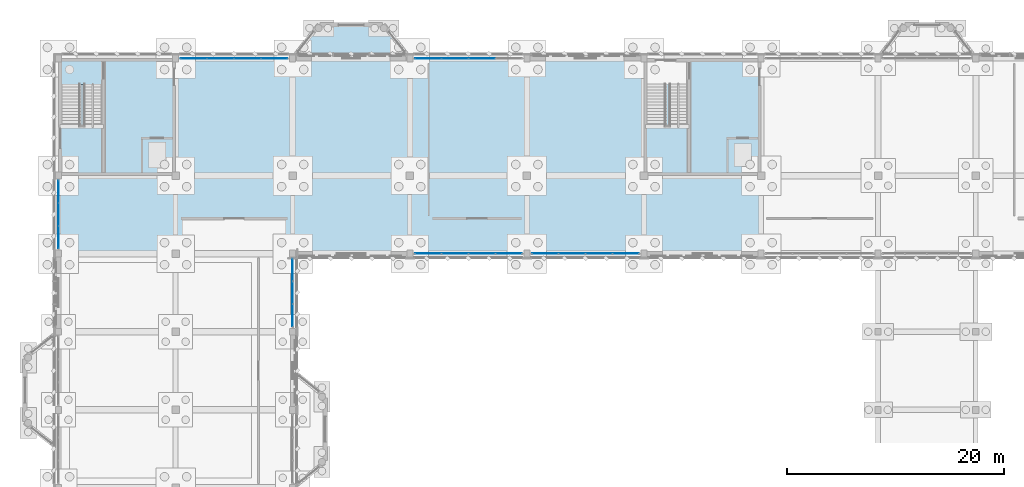
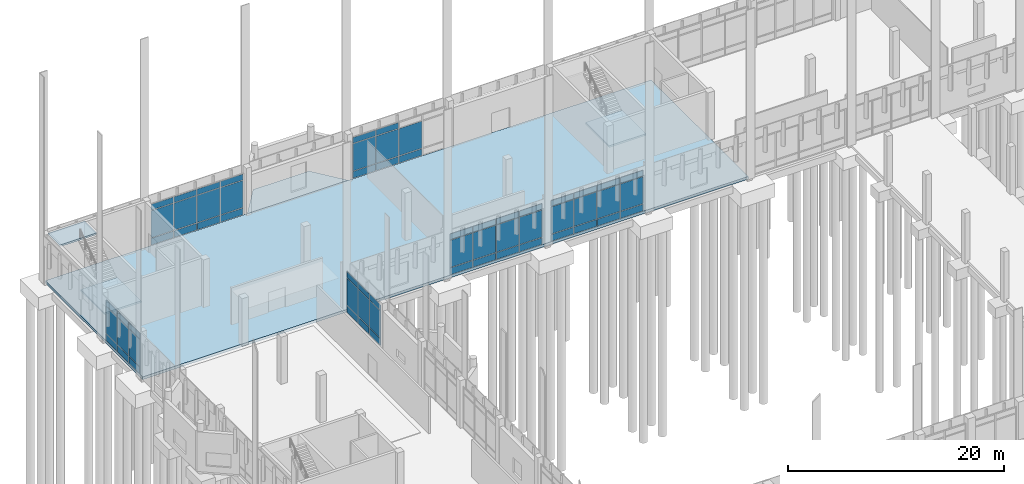
# One storey, part 75 of 109: 62 plates, 5 slabs, 8 elements without a shape of their own.
"""IFC4 building model written with IfcOpenShell, lengths in metres."""

from ifc_helpers import new_model, si_unit, direction, frame, origin, origin_2d, place, context, subcontext, project, spatial, polyline, rectangle, outline, extrude, material, layer, layer_set, type_object, element, aggregate, save


model = new_model("IFC4")

# Units and contexts
model_context = context("Model", 3, precision=1e-05, world=origin(), true_north=direction((0.0, 1.0)))
body_context = subcontext(model_context, "Body", "Model", "MODEL_VIEW")
ifc_project = project(units=[si_unit("LENGTHUNIT", "METRE"), si_unit("AREAUNIT", "SQUARE_METRE"), si_unit("VOLUMEUNIT", "CUBIC_METRE"), si_unit("PLANEANGLEUNIT", "RADIAN"), si_unit("MASSUNIT", "GRAM", prefix="KILO")], contexts=[model_context])

# Site, building, storey
site_placement = place(None, origin())
site = spatial("IfcSite", under=ifc_project, at=site_placement, CompositionType="ELEMENT")
building_placement = place(site_placement, origin())
building = spatial("IfcBuilding", under=site, at=building_placement, Name="Lusvemor Sports Hall", CompositionType="ELEMENT")
storey_placement = place(building_placement, origin())
storey = spatial("IfcBuildingStorey", under=building, at=storey_placement, Name="L00", CompositionType="ELEMENT", Elevation=0.0)

# Curtain wall, plates
ifc_material_1 = material(Name="Thermally broken bronze-anodized aluminium", Category="aluminium")
curtain_wall_type = type_object("IfcCurtainWallType", Name="CW_WING_B", PredefinedType="NOTDEFINED", material=ifc_material_1)
curtain_wall_1_placement = place(storey_placement, origin())
curtain_wall_1 = element("IfcCurtainWall", 1, at=curtain_wall_1_placement, inside=storey, type_object=curtain_wall_type, Name="Curtain Wall CW-L00-W-0-7", PredefinedType="NOTDEFINED")
ifc_material_2 = material(Name="Solar-control laminated double glazing", Category="glass")
ifc_layer_1 = layer(ifc_material_2, 0.028076171875)
ifc_layer_set_1 = layer_set([ifc_layer_1], Name="Solar-control laminated double glazing")
plate_type_1 = type_object("IfcPlateType", Name="CW_PAN_GLZ_28", PredefinedType="CURTAIN_PANEL", material=ifc_layer_set_1)
plate_1_placement = place(storey_placement, frame((0.0, 98.6962890625, 0.8798828125), z_axis=(0.0, 0.0, 1.0), x_axis=(0.0, 1.0, 0.0)))
plate_1 = element("IfcPlate", 2, at=plate_1_placement, type_object=plate_type_1, Name="CW02 panel 1.2", PredefinedType="CURTAIN_PANEL", context=body_context, shape_type="SweptSolid", body=[
    extrude(rectangle(XDim=2.0224609375, YDim=0.028076171875, at=origin_2d()), origin(), (0.0, 0.0, 1.0), 3.06005859375),
])
plate_2_placement = place(storey_placement, frame((0.0, 98.6962890625, 4.0), z_axis=(0.0, 0.0, 1.0), x_axis=(0.0, 1.0, 0.0)))
plate_2 = element("IfcPlate", 3, at=plate_2_placement, type_object=plate_type_1, Name="CW02 panel 1.3", PredefinedType="CURTAIN_PANEL", context=body_context, shape_type="SweptSolid", body=[
    extrude(rectangle(XDim=2.0224609375, YDim=0.028076171875, at=origin_2d()), origin(), (0.0, 0.0, 1.0), 0.659912109375),
])
plate_3_placement = place(storey_placement, frame((0.0, 100.800048828125, 0.8798828125), z_axis=(0.0, 0.0, 1.0), x_axis=(0.0, 1.0, 0.0)))
plate_3 = element("IfcPlate", 4, at=plate_3_placement, type_object=plate_type_1, Name="CW02 panel 2.2", PredefinedType="CURTAIN_PANEL", context=body_context, shape_type="SweptSolid", body=[
    extrude(rectangle(XDim=2.054931640625, YDim=0.028076171875, at=origin_2d()), origin(), (0.0, 0.0, 1.0), 3.06005859375),
])
plate_4_placement = place(storey_placement, frame((0.0, 100.800048828125, 4.0), z_axis=(0.0, 0.0, 1.0), x_axis=(0.0, 1.0, 0.0)))
plate_4 = element("IfcPlate", 5, at=plate_4_placement, type_object=plate_type_1, Name="CW02 panel 2.3", PredefinedType="CURTAIN_PANEL", context=body_context, shape_type="SweptSolid", body=[
    extrude(rectangle(XDim=2.054931640625, YDim=0.028076171875, at=origin_2d()), origin(), (0.0, 0.0, 1.0), 0.659912109375),
])
plate_5_placement = place(storey_placement, frame((0.0, 102.90380859375, 0.8798828125), z_axis=(0.0, 0.0, 1.0), x_axis=(0.0, 1.0, 0.0)))
plate_5 = element("IfcPlate", 6, at=plate_5_placement, type_object=plate_type_1, Name="CW02 panel 3.2", PredefinedType="CURTAIN_PANEL", context=body_context, shape_type="SweptSolid", body=[
    extrude(rectangle(XDim=2.0224609375, YDim=0.028076171875, at=origin_2d()), origin(), (0.0, 0.0, 1.0), 3.06005859375),
])
plate_6_placement = place(storey_placement, frame((0.0, 102.90380859375, 4.0), z_axis=(0.0, 0.0, 1.0), x_axis=(0.0, 1.0, 0.0)))
plate_6 = element("IfcPlate", 7, at=plate_6_placement, type_object=plate_type_1, Name="CW02 panel 3.3", PredefinedType="CURTAIN_PANEL", context=body_context, shape_type="SweptSolid", body=[
    extrude(rectangle(XDim=2.0224609375, YDim=0.028076171875, at=origin_2d()), origin(), (0.0, 0.0, 1.0), 0.659912109375),
])

curtain_wall_2_placement = place(storey_placement, origin())
curtain_wall_2 = element("IfcCurtainWall", 8, at=curtain_wall_2_placement, inside=storey, type_object=curtain_wall_type, Name="Curtain Wall CW-L00-N-1-1", PredefinedType="NOTDEFINED")
plate_7_placement = place(storey_placement, frame((12.481201171875, 115.199951171875, 0.8798828125), z_axis=(0.0, 0.0, 1.0), x_axis=(1.0, 0.0, 0.0)))
plate_7 = element("IfcPlate", 9, at=plate_7_placement, type_object=plate_type_1, Name="CW02 panel 1.2", PredefinedType="CURTAIN_PANEL", context=body_context, shape_type="SweptSolid", body=[
    extrude(rectangle(XDim=2.392578125, YDim=0.028076171875, at=origin_2d()), origin(), (0.0, 0.0, 1.0), 3.06005859375),
])
plate_8_placement = place(storey_placement, frame((12.481201171875, 115.199951171875, 4.0), z_axis=(0.0, 0.0, 1.0), x_axis=(1.0, 0.0, 0.0)))
plate_8 = element("IfcPlate", 10, at=plate_8_placement, type_object=plate_type_1, Name="CW02 panel 1.3", PredefinedType="CURTAIN_PANEL", context=body_context, shape_type="SweptSolid", body=[
    extrude(rectangle(XDim=2.392578125, YDim=0.028076171875, at=origin_2d()), origin(), (0.0, 0.0, 1.0), 0.659912109375),
])
plate_9_placement = place(storey_placement, frame((14.955078125, 115.199951171875, 0.8798828125), z_axis=(0.0, 0.0, 1.0), x_axis=(1.0, 0.0, 0.0)))
plate_9 = element("IfcPlate", 11, at=plate_9_placement, type_object=plate_type_1, Name="CW02 panel 2.2", PredefinedType="CURTAIN_PANEL", context=body_context, shape_type="SweptSolid", body=[
    extrude(rectangle(XDim=2.425048828125, YDim=0.028076171875, at=origin_2d()), origin(), (0.0, 0.0, 1.0), 3.06005859375),
])
plate_10_placement = place(storey_placement, frame((14.955078125, 115.199951171875, 4.0), z_axis=(0.0, 0.0, 1.0), x_axis=(1.0, 0.0, 0.0)))
plate_10 = element("IfcPlate", 12, at=plate_10_placement, type_object=plate_type_1, Name="CW02 panel 2.3", PredefinedType="CURTAIN_PANEL", context=body_context, shape_type="SweptSolid", body=[
    extrude(rectangle(XDim=2.425048828125, YDim=0.028076171875, at=origin_2d()), origin(), (0.0, 0.0, 1.0), 0.659912109375),
])
plate_11_placement = place(storey_placement, frame((17.445068359375, 115.199951171875, 0.8798828125), z_axis=(0.0, 0.0, 1.0), x_axis=(1.0, 0.0, 0.0)))
plate_11 = element("IfcPlate", 13, at=plate_11_placement, type_object=plate_type_1, Name="CW02 panel 3.2", PredefinedType="CURTAIN_PANEL", context=body_context, shape_type="SweptSolid", body=[
    extrude(rectangle(XDim=2.425048828125, YDim=0.028076171875, at=origin_2d()), origin(), (0.0, 0.0, 1.0), 3.06005859375),
])
plate_12_placement = place(storey_placement, frame((17.445068359375, 115.199951171875, 4.0), z_axis=(0.0, 0.0, 1.0), x_axis=(1.0, 0.0, 0.0)))
plate_12 = element("IfcPlate", 14, at=plate_12_placement, type_object=plate_type_1, Name="CW02 panel 3.3", PredefinedType="CURTAIN_PANEL", context=body_context, shape_type="SweptSolid", body=[
    extrude(rectangle(XDim=2.425048828125, YDim=0.028076171875, at=origin_2d()), origin(), (0.0, 0.0, 1.0), 0.659912109375),
])
plate_13_placement = place(storey_placement, frame((19.918701171875, 115.199951171875, 0.8798828125), z_axis=(0.0, 0.0, 1.0), x_axis=(1.0, 0.0, 0.0)))
plate_13 = element("IfcPlate", 15, at=plate_13_placement, type_object=plate_type_1, Name="CW02 panel 4.2", PredefinedType="CURTAIN_PANEL", context=body_context, shape_type="SweptSolid", body=[
    extrude(rectangle(XDim=2.392578125, YDim=0.028076171875, at=origin_2d()), origin(), (0.0, 0.0, 1.0), 3.06005859375),
])
plate_14_placement = place(storey_placement, frame((19.918701171875, 115.199951171875, 4.0), z_axis=(0.0, 0.0, 1.0), x_axis=(1.0, 0.0, 0.0)))
plate_14 = element("IfcPlate", 16, at=plate_14_placement, type_object=plate_type_1, Name="CW02 panel 4.3", PredefinedType="CURTAIN_PANEL", context=body_context, shape_type="SweptSolid", body=[
    extrude(rectangle(XDim=2.392578125, YDim=0.028076171875, at=origin_2d()), origin(), (0.0, 0.0, 1.0), 0.659912109375),
])

curtain_wall_3_placement = place(storey_placement, origin())
curtain_wall_3 = element("IfcCurtainWall", 17, at=curtain_wall_3_placement, inside=storey, type_object=curtain_wall_type, Name="Curtain Wall CW-L00-N-1-3", PredefinedType="NOTDEFINED")
plate_15_placement = place(storey_placement, frame((34.081298828125, 115.199951171875, 0.8798828125), z_axis=(0.0, 0.0, 1.0), x_axis=(1.0, 0.0, 0.0)))
plate_15 = element("IfcPlate", 18, at=plate_15_placement, type_object=plate_type_1, Name="CW02 panel 1.2", PredefinedType="CURTAIN_PANEL", context=body_context, shape_type="SweptSolid", body=[
    extrude(rectangle(XDim=2.392578125, YDim=0.028076171875, at=origin_2d()), origin(), (0.0, 0.0, 1.0), 3.06005859375),
])
plate_16_placement = place(storey_placement, frame((34.081298828125, 115.199951171875, 4.0), z_axis=(0.0, 0.0, 1.0), x_axis=(1.0, 0.0, 0.0)))
plate_16 = element("IfcPlate", 19, at=plate_16_placement, type_object=plate_type_1, Name="CW02 panel 1.3", PredefinedType="CURTAIN_PANEL", context=body_context, shape_type="SweptSolid", body=[
    extrude(rectangle(XDim=2.392578125, YDim=0.028076171875, at=origin_2d()), origin(), (0.0, 0.0, 1.0), 0.659912109375),
])
plate_17_placement = place(storey_placement, frame((36.554931640625, 115.199951171875, 0.8798828125), z_axis=(0.0, 0.0, 1.0), x_axis=(1.0, 0.0, 0.0)))
plate_17 = element("IfcPlate", 20, at=plate_17_placement, type_object=plate_type_1, Name="CW02 panel 2.2", PredefinedType="CURTAIN_PANEL", context=body_context, shape_type="SweptSolid", body=[
    extrude(rectangle(XDim=2.425048828125, YDim=0.028076171875, at=origin_2d()), origin(), (0.0, 0.0, 1.0), 3.06005859375),
])
plate_18_placement = place(storey_placement, frame((36.554931640625, 115.199951171875, 4.0), z_axis=(0.0, 0.0, 1.0), x_axis=(1.0, 0.0, 0.0)))
plate_18 = element("IfcPlate", 21, at=plate_18_placement, type_object=plate_type_1, Name="CW02 panel 2.3", PredefinedType="CURTAIN_PANEL", context=body_context, shape_type="SweptSolid", body=[
    extrude(rectangle(XDim=2.425048828125, YDim=0.028076171875, at=origin_2d()), origin(), (0.0, 0.0, 1.0), 0.659912109375),
])
plate_19_placement = place(storey_placement, frame((39.044921875, 115.199951171875, 0.8798828125), z_axis=(0.0, 0.0, 1.0), x_axis=(1.0, 0.0, 0.0)))
plate_19 = element("IfcPlate", 22, at=plate_19_placement, type_object=plate_type_1, Name="CW02 panel 3.2", PredefinedType="CURTAIN_PANEL", context=body_context, shape_type="SweptSolid", body=[
    extrude(rectangle(XDim=2.425048828125, YDim=0.028076171875, at=origin_2d()), origin(), (0.0, 0.0, 1.0), 3.06005859375),
])

curtain_wall_4_placement = place(storey_placement, origin())
curtain_wall_4 = element("IfcCurtainWall", 23, at=curtain_wall_4_placement, inside=storey, type_object=curtain_wall_type, Name="Curtain Wall CW-L00-S-3-1", PredefinedType="NOTDEFINED")
plate_20_placement = place(storey_placement, frame((41.518798828125, 97.199951171875, 0.8798828125), z_axis=(0.0, 0.0, 1.0), x_axis=(-1.0, 0.0, 0.0)))
plate_20 = element("IfcPlate", 24, at=plate_20_placement, type_object=plate_type_1, Name="CW02 panel 1.2", PredefinedType="CURTAIN_PANEL", context=body_context, shape_type="SweptSolid", body=[
    extrude(rectangle(XDim=2.392578125, YDim=0.028076171875, at=origin_2d()), origin(), (0.0, 0.0, 1.0), 3.06005859375),
])
plate_21_placement = place(storey_placement, frame((41.518798828125, 97.199951171875, 4.0), z_axis=(0.0, 0.0, 1.0), x_axis=(-1.0, 0.0, 0.0)))
plate_21 = element("IfcPlate", 25, at=plate_21_placement, type_object=plate_type_1, Name="CW02 panel 1.3", PredefinedType="CURTAIN_PANEL", context=body_context, shape_type="SweptSolid", body=[
    extrude(rectangle(XDim=2.392578125, YDim=0.028076171875, at=origin_2d()), origin(), (0.0, 0.0, 1.0), 0.659912109375),
])
plate_22_placement = place(storey_placement, frame((39.044921875, 97.199951171875, 0.8798828125), z_axis=(0.0, 0.0, 1.0), x_axis=(-1.0, 0.0, 0.0)))
plate_22 = element("IfcPlate", 26, at=plate_22_placement, type_object=plate_type_1, Name="CW02 panel 2.2", PredefinedType="CURTAIN_PANEL", context=body_context, shape_type="SweptSolid", body=[
    extrude(rectangle(XDim=2.425048828125, YDim=0.028076171875, at=origin_2d()), origin(), (0.0, 0.0, 1.0), 3.06005859375),
])
plate_23_placement = place(storey_placement, frame((39.044921875, 97.199951171875, 4.0), z_axis=(0.0, 0.0, 1.0), x_axis=(-1.0, 0.0, 0.0)))
plate_23 = element("IfcPlate", 27, at=plate_23_placement, type_object=plate_type_1, Name="CW02 panel 2.3", PredefinedType="CURTAIN_PANEL", context=body_context, shape_type="SweptSolid", body=[
    extrude(rectangle(XDim=2.425048828125, YDim=0.028076171875, at=origin_2d()), origin(), (0.0, 0.0, 1.0), 0.659912109375),
])
plate_24_placement = place(storey_placement, frame((36.554931640625, 97.199951171875, 0.8798828125), z_axis=(0.0, 0.0, 1.0), x_axis=(-1.0, 0.0, 0.0)))
plate_24 = element("IfcPlate", 28, at=plate_24_placement, type_object=plate_type_1, Name="CW02 panel 3.2", PredefinedType="CURTAIN_PANEL", context=body_context, shape_type="SweptSolid", body=[
    extrude(rectangle(XDim=2.425048828125, YDim=0.028076171875, at=origin_2d()), origin(), (0.0, 0.0, 1.0), 3.06005859375),
])
plate_25_placement = place(storey_placement, frame((36.554931640625, 97.199951171875, 4.0), z_axis=(0.0, 0.0, 1.0), x_axis=(-1.0, 0.0, 0.0)))
plate_25 = element("IfcPlate", 29, at=plate_25_placement, type_object=plate_type_1, Name="CW02 panel 3.3", PredefinedType="CURTAIN_PANEL", context=body_context, shape_type="SweptSolid", body=[
    extrude(rectangle(XDim=2.425048828125, YDim=0.028076171875, at=origin_2d()), origin(), (0.0, 0.0, 1.0), 0.659912109375),
])
plate_26_placement = place(storey_placement, frame((34.081298828125, 97.199951171875, 0.8798828125), z_axis=(0.0, 0.0, 1.0), x_axis=(-1.0, 0.0, 0.0)))
plate_26 = element("IfcPlate", 30, at=plate_26_placement, type_object=plate_type_1, Name="CW02 panel 4.2", PredefinedType="CURTAIN_PANEL", context=body_context, shape_type="SweptSolid", body=[
    extrude(rectangle(XDim=2.392578125, YDim=0.028076171875, at=origin_2d()), origin(), (0.0, 0.0, 1.0), 3.06005859375),
])
plate_27_placement = place(storey_placement, frame((34.081298828125, 97.199951171875, 4.0), z_axis=(0.0, 0.0, 1.0), x_axis=(-1.0, 0.0, 0.0)))
plate_27 = element("IfcPlate", 31, at=plate_27_placement, type_object=plate_type_1, Name="CW02 panel 4.3", PredefinedType="CURTAIN_PANEL", context=body_context, shape_type="SweptSolid", body=[
    extrude(rectangle(XDim=2.392578125, YDim=0.028076171875, at=origin_2d()), origin(), (0.0, 0.0, 1.0), 0.659912109375),
])

curtain_wall_5_placement = place(storey_placement, origin())
curtain_wall_5 = element("IfcCurtainWall", 32, at=curtain_wall_5_placement, inside=storey, type_object=curtain_wall_type, Name="Curtain Wall CW-L00-S-3-2", PredefinedType="NOTDEFINED")
plate_28_placement = place(storey_placement, frame((52.31884765625, 97.199951171875, 0.8798828125), z_axis=(0.0, 0.0, 1.0), x_axis=(-1.0, 0.0, 0.0)))
plate_28 = element("IfcPlate", 33, at=plate_28_placement, type_object=plate_type_1, Name="CW02 panel 1.2", PredefinedType="CURTAIN_PANEL", context=body_context, shape_type="SweptSolid", body=[
    extrude(rectangle(XDim=2.392578125, YDim=0.028076171875, at=origin_2d()), origin(), (0.0, 0.0, 1.0), 3.06005859375),
])
plate_29_placement = place(storey_placement, frame((52.31884765625, 97.199951171875, 4.0), z_axis=(0.0, 0.0, 1.0), x_axis=(-1.0, 0.0, 0.0)))
plate_29 = element("IfcPlate", 34, at=plate_29_placement, type_object=plate_type_1, Name="CW02 panel 1.3", PredefinedType="CURTAIN_PANEL", context=body_context, shape_type="SweptSolid", body=[
    extrude(rectangle(XDim=2.392578125, YDim=0.028076171875, at=origin_2d()), origin(), (0.0, 0.0, 1.0), 0.659912109375),
])
plate_30_placement = place(storey_placement, frame((49.844970703125, 97.199951171875, 0.8798828125), z_axis=(0.0, 0.0, 1.0), x_axis=(-1.0, 0.0, 0.0)))
plate_30 = element("IfcPlate", 35, at=plate_30_placement, type_object=plate_type_1, Name="CW02 panel 2.2", PredefinedType="CURTAIN_PANEL", context=body_context, shape_type="SweptSolid", body=[
    extrude(rectangle(XDim=2.425048828125, YDim=0.028076171875, at=origin_2d()), origin(), (0.0, 0.0, 1.0), 3.06005859375),
])
plate_31_placement = place(storey_placement, frame((49.844970703125, 97.199951171875, 4.0), z_axis=(0.0, 0.0, 1.0), x_axis=(-1.0, 0.0, 0.0)))
plate_31 = element("IfcPlate", 36, at=plate_31_placement, type_object=plate_type_1, Name="CW02 panel 2.3", PredefinedType="CURTAIN_PANEL", context=body_context, shape_type="SweptSolid", body=[
    extrude(rectangle(XDim=2.425048828125, YDim=0.028076171875, at=origin_2d()), origin(), (0.0, 0.0, 1.0), 0.659912109375),
])
plate_32_placement = place(storey_placement, frame((47.35498046875, 97.199951171875, 0.8798828125), z_axis=(0.0, 0.0, 1.0), x_axis=(-1.0, 0.0, 0.0)))
plate_32 = element("IfcPlate", 37, at=plate_32_placement, type_object=plate_type_1, Name="CW02 panel 3.2", PredefinedType="CURTAIN_PANEL", context=body_context, shape_type="SweptSolid", body=[
    extrude(rectangle(XDim=2.425048828125, YDim=0.028076171875, at=origin_2d()), origin(), (0.0, 0.0, 1.0), 3.06005859375),
])
plate_33_placement = place(storey_placement, frame((47.35498046875, 97.199951171875, 4.0), z_axis=(0.0, 0.0, 1.0), x_axis=(-1.0, 0.0, 0.0)))
plate_33 = element("IfcPlate", 38, at=plate_33_placement, type_object=plate_type_1, Name="CW02 panel 3.3", PredefinedType="CURTAIN_PANEL", context=body_context, shape_type="SweptSolid", body=[
    extrude(rectangle(XDim=2.425048828125, YDim=0.028076171875, at=origin_2d()), origin(), (0.0, 0.0, 1.0), 0.659912109375),
])
plate_34_placement = place(storey_placement, frame((44.88134765625, 97.199951171875, 0.8798828125), z_axis=(0.0, 0.0, 1.0), x_axis=(-1.0, 0.0, 0.0)))
plate_34 = element("IfcPlate", 39, at=plate_34_placement, type_object=plate_type_1, Name="CW02 panel 4.2", PredefinedType="CURTAIN_PANEL", context=body_context, shape_type="SweptSolid", body=[
    extrude(rectangle(XDim=2.392578125, YDim=0.028076171875, at=origin_2d()), origin(), (0.0, 0.0, 1.0), 3.06005859375),
])
plate_35_placement = place(storey_placement, frame((44.88134765625, 97.199951171875, 4.0), z_axis=(0.0, 0.0, 1.0), x_axis=(-1.0, 0.0, 0.0)))
plate_35 = element("IfcPlate", 40, at=plate_35_placement, type_object=plate_type_1, Name="CW02 panel 4.3", PredefinedType="CURTAIN_PANEL", context=body_context, shape_type="SweptSolid", body=[
    extrude(rectangle(XDim=2.392578125, YDim=0.028076171875, at=origin_2d()), origin(), (0.0, 0.0, 1.0), 0.659912109375),
])

curtain_wall_6_placement = place(storey_placement, origin())
curtain_wall_6 = element("IfcCurtainWall", 41, at=curtain_wall_6_placement, inside=storey, type_object=curtain_wall_type, Name="Curtain Wall CW-L00-E-4-6", PredefinedType="NOTDEFINED")
plate_36_placement = place(storey_placement, frame((21.60009765625, 95.703857421875, 0.8798828125), z_axis=(0.0, 0.0, 1.0), x_axis=(0.0, -1.0, 0.0)))
plate_36 = element("IfcPlate", 42, at=plate_36_placement, type_object=plate_type_1, Name="CW02 panel 1.2", PredefinedType="CURTAIN_PANEL", context=body_context, shape_type="SweptSolid", body=[
    extrude(rectangle(XDim=2.0224609375, YDim=0.028076171875, at=origin_2d()), origin(), (0.0, 0.0, 1.0), 3.06005859375),
])
plate_37_placement = place(storey_placement, frame((21.60009765625, 95.703857421875, 4.0), z_axis=(0.0, 0.0, 1.0), x_axis=(0.0, -1.0, 0.0)))
plate_37 = element("IfcPlate", 43, at=plate_37_placement, type_object=plate_type_1, Name="CW02 panel 1.3", PredefinedType="CURTAIN_PANEL", context=body_context, shape_type="SweptSolid", body=[
    extrude(rectangle(XDim=2.0224609375, YDim=0.028076171875, at=origin_2d()), origin(), (0.0, 0.0, 1.0), 0.659912109375),
])
plate_38_placement = place(storey_placement, frame((21.60009765625, 93.60009765625, 0.8798828125), z_axis=(0.0, 0.0, 1.0), x_axis=(0.0, -1.0, 0.0)))
plate_38 = element("IfcPlate", 44, at=plate_38_placement, type_object=plate_type_1, Name="CW02 panel 2.2", PredefinedType="CURTAIN_PANEL", context=body_context, shape_type="SweptSolid", body=[
    extrude(rectangle(XDim=2.054931640625, YDim=0.028076171875, at=origin_2d()), origin(), (0.0, 0.0, 1.0), 3.06005859375),
])
plate_39_placement = place(storey_placement, frame((21.60009765625, 93.60009765625, 4.0), z_axis=(0.0, 0.0, 1.0), x_axis=(0.0, -1.0, 0.0)))
plate_39 = element("IfcPlate", 45, at=plate_39_placement, type_object=plate_type_1, Name="CW02 panel 2.3", PredefinedType="CURTAIN_PANEL", context=body_context, shape_type="SweptSolid", body=[
    extrude(rectangle(XDim=2.054931640625, YDim=0.028076171875, at=origin_2d()), origin(), (0.0, 0.0, 1.0), 0.659912109375),
])
plate_40_placement = place(storey_placement, frame((21.60009765625, 91.496337890625, 0.8798828125), z_axis=(0.0, 0.0, 1.0), x_axis=(0.0, -1.0, 0.0)))
plate_40 = element("IfcPlate", 46, at=plate_40_placement, type_object=plate_type_1, Name="CW02 panel 3.2", PredefinedType="CURTAIN_PANEL", context=body_context, shape_type="SweptSolid", body=[
    extrude(rectangle(XDim=2.0224609375, YDim=0.028076171875, at=origin_2d()), origin(), (0.0, 0.0, 1.0), 3.06005859375),
])
plate_41_placement = place(storey_placement, frame((21.60009765625, 91.496337890625, 4.0), z_axis=(0.0, 0.0, 1.0), x_axis=(0.0, -1.0, 0.0)))
plate_41 = element("IfcPlate", 47, at=plate_41_placement, type_object=plate_type_1, Name="CW02 panel 3.3", PredefinedType="CURTAIN_PANEL", context=body_context, shape_type="SweptSolid", body=[
    extrude(rectangle(XDim=2.0224609375, YDim=0.028076171875, at=origin_2d()), origin(), (0.0, 0.0, 1.0), 0.659912109375),
])

# Plate
ifc_material_3 = material(Name="Emerald polychrome glazed ceramic cladding on Concrete C40/50 backing", Category="concrete")
ifc_layer_2 = layer(ifc_material_3, 0.048095703125)
ifc_layer_set_2 = layer_set([ifc_layer_2], Name="Emerald polychrome glazed ceramic cladding on Concrete C40/50 backing")
plate_type_2 = type_object("IfcPlateType", Name="CW_PAN_SPN_48", PredefinedType="CURTAIN_PANEL", material=ifc_layer_set_2)
plate_42_placement = place(storey_placement, frame((0.0, 98.6962890625, 0.06005859375), z_axis=(0.0, 0.0, 1.0), x_axis=(0.0, 1.0, 0.0)))
plate_42 = element("IfcPlate", 48, at=plate_42_placement, type_object=plate_type_2, Name="CW02 panel 1.1", PredefinedType="CURTAIN_PANEL", context=body_context, shape_type="SweptSolid", body=[
    extrude(rectangle(XDim=2.0224609375, YDim=0.048095703125, at=origin_2d()), origin(), (0.0, 0.0, 1.0), 0.760009765625),
])

plate_43_placement = place(storey_placement, frame((0.0, 100.800048828125, 0.06005859375), z_axis=(0.0, 0.0, 1.0), x_axis=(0.0, 1.0, 0.0)))
plate_43 = element("IfcPlate", 49, at=plate_43_placement, type_object=plate_type_2, Name="CW02 panel 2.1", PredefinedType="CURTAIN_PANEL", context=body_context, shape_type="SweptSolid", body=[
    extrude(rectangle(XDim=2.054931640625, YDim=0.048095703125, at=origin_2d()), origin(), (0.0, 0.0, 1.0), 0.760009765625),
])

plate_44_placement = place(storey_placement, frame((0.0, 102.90380859375, 0.06005859375), z_axis=(0.0, 0.0, 1.0), x_axis=(0.0, 1.0, 0.0)))
plate_44 = element("IfcPlate", 50, at=plate_44_placement, type_object=plate_type_2, Name="CW02 panel 3.1", PredefinedType="CURTAIN_PANEL", context=body_context, shape_type="SweptSolid", body=[
    extrude(rectangle(XDim=2.0224609375, YDim=0.048095703125, at=origin_2d()), origin(), (0.0, 0.0, 1.0), 0.760009765625),
])

aggregate(curtain_wall_1, [plate_42, plate_1, plate_2, plate_43, plate_3, plate_4, plate_44, plate_5, plate_6])

plate_45_placement = place(storey_placement, frame((12.481201171875, 115.199951171875, 0.06005859375), z_axis=(0.0, 0.0, 1.0), x_axis=(1.0, 0.0, 0.0)))
plate_45 = element("IfcPlate", 51, at=plate_45_placement, type_object=plate_type_2, Name="CW02 panel 1.1", PredefinedType="CURTAIN_PANEL", context=body_context, shape_type="SweptSolid", body=[
    extrude(rectangle(XDim=2.392578125, YDim=0.048095703125, at=origin_2d()), origin(), (0.0, 0.0, 1.0), 0.760009765625),
])

plate_46_placement = place(storey_placement, frame((14.955078125, 115.199951171875, 0.06005859375), z_axis=(0.0, 0.0, 1.0), x_axis=(1.0, 0.0, 0.0)))
plate_46 = element("IfcPlate", 52, at=plate_46_placement, type_object=plate_type_2, Name="CW02 panel 2.1", PredefinedType="CURTAIN_PANEL", context=body_context, shape_type="SweptSolid", body=[
    extrude(rectangle(XDim=2.425048828125, YDim=0.048095703125, at=origin_2d()), origin(), (0.0, 0.0, 1.0), 0.760009765625),
])

plate_47_placement = place(storey_placement, frame((17.445068359375, 115.199951171875, 0.06005859375), z_axis=(0.0, 0.0, 1.0), x_axis=(1.0, 0.0, 0.0)))
plate_47 = element("IfcPlate", 53, at=plate_47_placement, type_object=plate_type_2, Name="CW02 panel 3.1", PredefinedType="CURTAIN_PANEL", context=body_context, shape_type="SweptSolid", body=[
    extrude(rectangle(XDim=2.425048828125, YDim=0.048095703125, at=origin_2d()), origin(), (0.0, 0.0, 1.0), 0.760009765625),
])

plate_48_placement = place(storey_placement, frame((19.918701171875, 115.199951171875, 0.06005859375), z_axis=(0.0, 0.0, 1.0), x_axis=(1.0, 0.0, 0.0)))
plate_48 = element("IfcPlate", 54, at=plate_48_placement, type_object=plate_type_2, Name="CW02 panel 4.1", PredefinedType="CURTAIN_PANEL", context=body_context, shape_type="SweptSolid", body=[
    extrude(rectangle(XDim=2.392578125, YDim=0.048095703125, at=origin_2d()), origin(), (0.0, 0.0, 1.0), 0.760009765625),
])

aggregate(curtain_wall_2, [plate_45, plate_7, plate_8, plate_46, plate_9, plate_10, plate_47, plate_11, plate_12, plate_48, plate_13, plate_14])

plate_49_placement = place(storey_placement, frame((34.081298828125, 115.199951171875, 0.06005859375), z_axis=(0.0, 0.0, 1.0), x_axis=(1.0, 0.0, 0.0)))
plate_49 = element("IfcPlate", 55, at=plate_49_placement, type_object=plate_type_2, Name="CW02 panel 1.1", PredefinedType="CURTAIN_PANEL", context=body_context, shape_type="SweptSolid", body=[
    extrude(rectangle(XDim=2.392578125, YDim=0.048095703125, at=origin_2d()), origin(), (0.0, 0.0, 1.0), 0.760009765625),
])

plate_50_placement = place(storey_placement, frame((36.554931640625, 115.199951171875, 0.06005859375), z_axis=(0.0, 0.0, 1.0), x_axis=(1.0, 0.0, 0.0)))
plate_50 = element("IfcPlate", 56, at=plate_50_placement, type_object=plate_type_2, Name="CW02 panel 2.1", PredefinedType="CURTAIN_PANEL", context=body_context, shape_type="SweptSolid", body=[
    extrude(rectangle(XDim=2.425048828125, YDim=0.048095703125, at=origin_2d()), origin(), (0.0, 0.0, 1.0), 0.760009765625),
])

plate_51_placement = place(storey_placement, frame((39.044921875, 115.199951171875, 0.06005859375), z_axis=(0.0, 0.0, 1.0), x_axis=(1.0, 0.0, 0.0)))
plate_51 = element("IfcPlate", 57, at=plate_51_placement, type_object=plate_type_2, Name="CW02 panel 3.1", PredefinedType="CURTAIN_PANEL", context=body_context, shape_type="SweptSolid", body=[
    extrude(rectangle(XDim=2.425048828125, YDim=0.048095703125, at=origin_2d()), origin(), (0.0, 0.0, 1.0), 0.760009765625),
])

aggregate(curtain_wall_3, [plate_49, plate_15, plate_16, plate_50, plate_17, plate_18, plate_51, plate_19])

plate_52_placement = place(storey_placement, frame((41.518798828125, 97.199951171875, 0.06005859375), z_axis=(0.0, 0.0, 1.0), x_axis=(-1.0, 0.0, 0.0)))
plate_52 = element("IfcPlate", 58, at=plate_52_placement, type_object=plate_type_2, Name="CW02 panel 1.1", PredefinedType="CURTAIN_PANEL", context=body_context, shape_type="SweptSolid", body=[
    extrude(rectangle(XDim=2.392578125, YDim=0.048095703125, at=origin_2d()), origin(), (0.0, 0.0, 1.0), 0.760009765625),
])

plate_53_placement = place(storey_placement, frame((39.044921875, 97.199951171875, 0.06005859375), z_axis=(0.0, 0.0, 1.0), x_axis=(-1.0, 0.0, 0.0)))
plate_53 = element("IfcPlate", 59, at=plate_53_placement, type_object=plate_type_2, Name="CW02 panel 2.1", PredefinedType="CURTAIN_PANEL", context=body_context, shape_type="SweptSolid", body=[
    extrude(rectangle(XDim=2.425048828125, YDim=0.048095703125, at=origin_2d()), origin(), (0.0, 0.0, 1.0), 0.760009765625),
])

plate_54_placement = place(storey_placement, frame((36.554931640625, 97.199951171875, 0.06005859375), z_axis=(0.0, 0.0, 1.0), x_axis=(-1.0, 0.0, 0.0)))
plate_54 = element("IfcPlate", 60, at=plate_54_placement, type_object=plate_type_2, Name="CW02 panel 3.1", PredefinedType="CURTAIN_PANEL", context=body_context, shape_type="SweptSolid", body=[
    extrude(rectangle(XDim=2.425048828125, YDim=0.048095703125, at=origin_2d()), origin(), (0.0, 0.0, 1.0), 0.760009765625),
])

plate_55_placement = place(storey_placement, frame((34.081298828125, 97.199951171875, 0.06005859375), z_axis=(0.0, 0.0, 1.0), x_axis=(-1.0, 0.0, 0.0)))
plate_55 = element("IfcPlate", 61, at=plate_55_placement, type_object=plate_type_2, Name="CW02 panel 4.1", PredefinedType="CURTAIN_PANEL", context=body_context, shape_type="SweptSolid", body=[
    extrude(rectangle(XDim=2.392578125, YDim=0.048095703125, at=origin_2d()), origin(), (0.0, 0.0, 1.0), 0.760009765625),
])

aggregate(curtain_wall_4, [plate_52, plate_20, plate_21, plate_53, plate_22, plate_23, plate_54, plate_24, plate_25, plate_55, plate_26, plate_27])

plate_56_placement = place(storey_placement, frame((52.31884765625, 97.199951171875, 0.06005859375), z_axis=(0.0, 0.0, 1.0), x_axis=(-1.0, 0.0, 0.0)))
plate_56 = element("IfcPlate", 62, at=plate_56_placement, type_object=plate_type_2, Name="CW02 panel 1.1", PredefinedType="CURTAIN_PANEL", context=body_context, shape_type="SweptSolid", body=[
    extrude(rectangle(XDim=2.392578125, YDim=0.048095703125, at=origin_2d()), origin(), (0.0, 0.0, 1.0), 0.760009765625),
])

plate_57_placement = place(storey_placement, frame((49.844970703125, 97.199951171875, 0.06005859375), z_axis=(0.0, 0.0, 1.0), x_axis=(-1.0, 0.0, 0.0)))
plate_57 = element("IfcPlate", 63, at=plate_57_placement, type_object=plate_type_2, Name="CW02 panel 2.1", PredefinedType="CURTAIN_PANEL", context=body_context, shape_type="SweptSolid", body=[
    extrude(rectangle(XDim=2.425048828125, YDim=0.048095703125, at=origin_2d()), origin(), (0.0, 0.0, 1.0), 0.760009765625),
])

plate_58_placement = place(storey_placement, frame((47.35498046875, 97.199951171875, 0.06005859375), z_axis=(0.0, 0.0, 1.0), x_axis=(-1.0, 0.0, 0.0)))
plate_58 = element("IfcPlate", 64, at=plate_58_placement, type_object=plate_type_2, Name="CW02 panel 3.1", PredefinedType="CURTAIN_PANEL", context=body_context, shape_type="SweptSolid", body=[
    extrude(rectangle(XDim=2.425048828125, YDim=0.048095703125, at=origin_2d()), origin(), (0.0, 0.0, 1.0), 0.760009765625),
])

plate_59_placement = place(storey_placement, frame((44.88134765625, 97.199951171875, 0.06005859375), z_axis=(0.0, 0.0, 1.0), x_axis=(-1.0, 0.0, 0.0)))
plate_59 = element("IfcPlate", 65, at=plate_59_placement, type_object=plate_type_2, Name="CW02 panel 4.1", PredefinedType="CURTAIN_PANEL", context=body_context, shape_type="SweptSolid", body=[
    extrude(rectangle(XDim=2.392578125, YDim=0.048095703125, at=origin_2d()), origin(), (0.0, 0.0, 1.0), 0.760009765625),
])

aggregate(curtain_wall_5, [plate_56, plate_28, plate_29, plate_57, plate_30, plate_31, plate_58, plate_32, plate_33, plate_59, plate_34, plate_35])

plate_60_placement = place(storey_placement, frame((21.60009765625, 95.703857421875, 0.06005859375), z_axis=(0.0, 0.0, 1.0), x_axis=(0.0, -1.0, 0.0)))
plate_60 = element("IfcPlate", 66, at=plate_60_placement, type_object=plate_type_2, Name="CW02 panel 1.1", PredefinedType="CURTAIN_PANEL", context=body_context, shape_type="SweptSolid", body=[
    extrude(rectangle(XDim=2.0224609375, YDim=0.048095703125, at=origin_2d()), origin(), (0.0, 0.0, 1.0), 0.760009765625),
])

plate_61_placement = place(storey_placement, frame((21.60009765625, 93.60009765625, 0.06005859375), z_axis=(0.0, 0.0, 1.0), x_axis=(0.0, -1.0, 0.0)))
plate_61 = element("IfcPlate", 67, at=plate_61_placement, type_object=plate_type_2, Name="CW02 panel 2.1", PredefinedType="CURTAIN_PANEL", context=body_context, shape_type="SweptSolid", body=[
    extrude(rectangle(XDim=2.054931640625, YDim=0.048095703125, at=origin_2d()), origin(), (0.0, 0.0, 1.0), 0.760009765625),
])

plate_62_placement = place(storey_placement, frame((21.60009765625, 91.496337890625, 0.06005859375), z_axis=(0.0, 0.0, 1.0), x_axis=(0.0, -1.0, 0.0)))
plate_62 = element("IfcPlate", 68, at=plate_62_placement, type_object=plate_type_2, Name="CW02 panel 3.1", PredefinedType="CURTAIN_PANEL", context=body_context, shape_type="SweptSolid", body=[
    extrude(rectangle(XDim=2.0224609375, YDim=0.048095703125, at=origin_2d()), origin(), (0.0, 0.0, 1.0), 0.760009765625),
])

aggregate(curtain_wall_6, [plate_60, plate_36, plate_37, plate_61, plate_38, plate_39, plate_62, plate_40, plate_41])

# Slabs
ifc_material_4 = material(Name="Concrete C40/50", Category="concrete")
ifc_layer_3 = layer(ifc_material_4, 0.300048828125)
ifc_layer_set_3 = layer_set([ifc_layer_3], Name="Concrete C40/50")
slab_type_1 = type_object("IfcSlabType", Name="SLAB_BASE_300", PredefinedType="BASESLAB", material=ifc_layer_set_3)
slab_1_placement = place(storey_placement, frame((0.0, 0.0, -0.300048828125)))
element("IfcSlab", 69, at=slab_1_placement, inside=storey, type_object=slab_type_1, Name="Slab L00 V5-NW", PredefinedType="BASESLAB", context=body_context, shape_type="SweptSolid", body=[
    extrude(outline(polyline([(0.0, 97.199951171875), (64.800048828125, 97.199951171875), (64.800048828125, 115.199951171875), (0.0, 115.199951171875), (0.0, 97.199951171875)])), origin(), (0.0, 0.0, 1.0), 0.300048828125),
])
slab_2_placement = place(storey_placement, frame((0.0, 0.0, -0.300048828125)))
element("IfcSlab", 70, at=slab_2_placement, inside=storey, type_object=slab_type_1, Name="Bow Pavilion Slab BOW-N1 (L00)", PredefinedType="BASESLAB", context=body_context, shape_type="SweptSolid", body=[
    extrude(outline(polyline([(21.60009765625, 115.199951171875), (24.0, 118.300048828125), (30.0, 118.300048828125), (32.39990234375, 115.199951171875), (21.60009765625, 115.199951171875)])), origin(), (0.0, 0.0, 1.0), 0.300048828125),
])

# Stair, slabs
ifc_material_5 = material(Name="Concrete C40/50", Category="concrete")
stair_type = type_object("IfcStairType", Name="STAIR_CORE_540", PredefinedType="HALF_TURN_STAIR", material=ifc_material_5)
stair_1_placement = place(storey_placement, origin())
stair_1 = element("IfcStair", 71, at=stair_1_placement, inside=storey, type_object=stair_type, Name="Escape Stair C1 (L00)", PredefinedType="HALF_TURN_STAIR")
ifc_material_6 = material(Name="Concrete C40/50", Category="concrete")
ifc_layer_4 = layer(ifc_material_6, 0.199951171875)
ifc_layer_set_4 = layer_set([ifc_layer_4], Name="Concrete C40/50")
slab_type_2 = type_object("IfcSlabType", Name="SLAB_LAND_200", PredefinedType="LANDING", material=ifc_layer_set_4)
slab_3_placement = place(storey_placement, frame((0.0, 0.0, 2.5)))
slab_3 = element("IfcSlab", 72, at=slab_3_placement, type_object=slab_type_2, Name="ST01 landing 1", PredefinedType="LANDING", context=body_context, shape_type="SweptSolid", body=[
    extrude(outline(polyline([(0.179931640625, 104.580078125), (4.1201171875, 104.580078125), (4.1201171875, 108.969970703125), (0.179931640625, 108.969970703125), (0.179931640625, 104.580078125)])), origin(), (0.0, 0.0, 1.0), 0.199951171875),
])
slab_4_placement = place(storey_placement, frame((0.0, 0.0, 5.199951171875)))
slab_4 = element("IfcSlab", 73, at=slab_4_placement, type_object=slab_type_2, Name="ST01 landing 2", PredefinedType="LANDING", context=body_context, shape_type="SweptSolid", body=[
    extrude(outline(polyline([(0.179931640625, 112.81005859375), (4.1201171875, 112.81005859375), (4.1201171875, 115.02001953125), (0.179931640625, 115.02001953125), (0.179931640625, 112.81005859375)])), origin(), (0.0, 0.0, 1.0), 0.199951171875),
])
aggregate(stair_1, [slab_3, slab_4])

# Stair, slab
stair_2_placement = place(storey_placement, origin())
stair_2 = element("IfcStair", 74, at=stair_2_placement, inside=storey, type_object=stair_type, Name="Escape Stair C2 (L00)", PredefinedType="HALF_TURN_STAIR")
slab_5_placement = place(storey_placement, frame((0.0, 0.0, 2.5)))
slab_5 = element("IfcSlab", 75, at=slab_5_placement, type_object=slab_type_2, Name="ST01 landing 1", PredefinedType="LANDING", context=body_context, shape_type="SweptSolid", body=[
    extrude(outline(polyline([(54.179931640625, 104.580078125), (58.1201171875, 104.580078125), (58.1201171875, 108.969970703125), (54.179931640625, 108.969970703125), (54.179931640625, 104.580078125)])), origin(), (0.0, 0.0, 1.0), 0.199951171875),
])
aggregate(stair_2, [slab_5])

save(model, "model.ifc")
